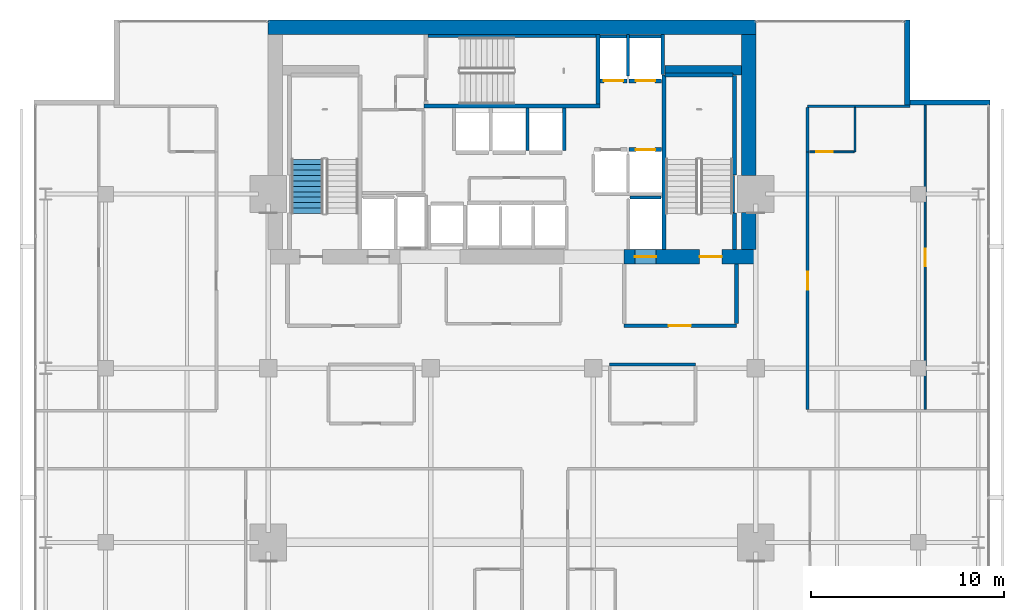
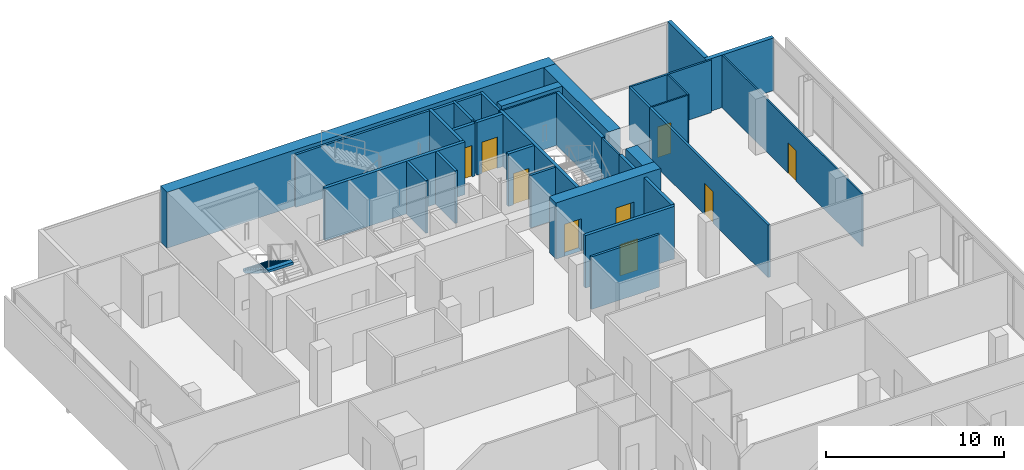
# One storey, part 30 of 33: 33 walls, 9 doors, 1 stair flight, 9 openings, 1 element without a shape of its own.
"""IFC4 building model written with IfcOpenShell, lengths in metres."""

from ifc_helpers import new_model, si_unit, direction, frame, frame_2d, origin, place, context, subcontext, project, spatial, polyline, rectangle, outline, extrude, material, layer, layer_set, type_object, element, fill, aggregate, save


model = new_model("IFC4")

# Units and contexts
model_context = context("Model", 3, precision=1e-05, world=origin(), true_north=direction((0.0, 1.0)))
body_context = subcontext(model_context, "Body", "Model", "MODEL_VIEW")
ifc_project = project(units=[si_unit("LENGTHUNIT", "METRE"), si_unit("AREAUNIT", "SQUARE_METRE"), si_unit("VOLUMEUNIT", "CUBIC_METRE"), si_unit("PLANEANGLEUNIT", "RADIAN"), si_unit("MASSUNIT", "GRAM", prefix="KILO")], contexts=[model_context])

# Site, building, storey
site_placement = place(None, origin())
site = spatial("IfcSite", under=ifc_project, at=site_placement, CompositionType="ELEMENT")
building_placement = place(site_placement, origin())
building = spatial("IfcBuilding", under=site, at=building_placement, Name="Maruvema Waterfront Hotel and Observation Tower", CompositionType="ELEMENT")
storey_placement = place(building_placement, frame((0.0, 0.0, 196.699951171875)))
storey = spatial("IfcBuildingStorey", under=building, at=storey_placement, Name="L48", CompositionType="ELEMENT", Elevation=196.699951171875)

# Wall
ifc_material_1 = material(Name="Twin-stud acoustic gypsum drywall", Category="gypsum")
ifc_layer_1 = layer(ifc_material_1, 0.14990234375, Name="Acoustic Corridor and Suite Demising Wall 150 mm")
ifc_layer_set_1 = layer_set([ifc_layer_1], Name="Twin-stud acoustic gypsum drywall")
wall_type_1 = type_object("IfcWallType", Name="Acoustic Corridor and Suite Demising Wall 150 mm", PredefinedType="PARTITIONING", material=ifc_layer_set_1)
wall_1_placement = place(storey_placement, frame((42.85009765625, 36.199951171875, 0.0), z_axis=(0.0, 0.0, 1.0), x_axis=(1.0, 0.0, 0.0)))
element("IfcWall", 1, at=wall_1_placement, inside=storey, type_object=wall_type_1, Name="L48 L48-M2 Back Wall 025", PredefinedType="PARTITIONING", context=body_context, shape_type="SweptSolid", body=[
    extrude(rectangle(XDim=4.429931640625, YDim=0.14990234375, at=frame_2d((2.21484375, 0.0))), origin(), (0.0, 0.0, 1.0), 3.610107421875),
])

# Wall, opening, door
wall_2_placement = place(storey_placement, frame((53.080078125, 33.860107421875, 0.0), z_axis=(0.0, 0.0, 1.0), x_axis=(0.0, 1.0, 0.0)))
wall_2 = element("IfcWall", 2, at=wall_2_placement, inside=storey, type_object=wall_type_1, Name="L48 Room L48-NE1 Corridor Wall 095", PredefinedType="PARTITIONING", context=body_context, shape_type="SweptSolid", body=[
    extrude(rectangle(XDim=13.327392578125, YDim=0.14990234375, at=frame_2d((6.66357421875, 0.0))), origin(), (0.0, 0.0, 1.0), 3.610107421875),
])
opening_1_placement = place(wall_2_placement, frame((6.188720703125, 0.0, 0.0)))
opening_1 = element("IfcOpeningElement", 3, at=opening_1_placement, cuts=wall_2, Name="Opening DR-095", PredefinedType="OPENING", context=body_context, shape_type="SweptSolid", body=[
    extrude(rectangle(XDim=0.949951171875, YDim=2.14990234375, at=frame_2d((0.47509765625, 1.074951171875))), frame((0.0, 0.0849609375, 0.0), z_axis=(0.0, -1.0, 0.0), x_axis=(1.0, 0.0, 0.0)), (0.0, 0.0, 1.0), 0.169921875),
])
ifc_material_2 = material(Name="Acoustic solid-core hardwood timber leaf", Category="wood")
door_type_1 = type_object("IfcDoorType", Name="Guestroom Entrance Fire Door 950x2150 mm", OperationType="NOTDEFINED", PredefinedType="DOOR", material=ifc_material_2)
door_1_placement = place(opening_1_placement, frame((0.949951171875, 0.0, 0.0), z_axis=(0.0, 0.0, 1.0), x_axis=(-1.0, 0.0, 0.0)))
door_1 = element("IfcDoor", 4, at=door_1_placement, inside=storey, type_object=door_type_1, Name="L48 Room L48-NE1 Entrance Door", OperationType="SINGLE_SWING_RIGHT", OverallHeight=2.14990234375, OverallWidth=0.949951171875, PredefinedType="DOOR", context=body_context, shape_type="SweptSolid", body=[
    extrude(rectangle(XDim=0.949951171875, YDim=2.14990234375, at=frame_2d((0.47509765625, 1.074951171875))), frame((0.0, 0.02490234375, 0.0), z_axis=(0.0, -1.0, 0.0), x_axis=(1.0, 0.0, 0.0)), (0.0, 0.0, 1.0), 0.050048828125),
])
fill(opening_1, door_1)

# Walls
wall_3_placement = place(storey_placement, frame((53.080078125, 47.1875, 0.0), z_axis=(0.0, 0.0, 1.0), x_axis=(0.0, 1.0, 0.0)))
element("IfcWall", 5, at=wall_3_placement, inside=storey, type_object=wall_type_1, Name="L48 Bath L48-NE1 Wall 096", PredefinedType="PARTITIONING", context=body_context, shape_type="SweptSolid", body=[
    extrude(rectangle(XDim=2.2900390625, YDim=0.14990234375, at=frame_2d((1.14501953125, 0.0))), origin(), (0.0, 0.0, 1.0), 3.610107421875),
])
ifc_material_3 = material(Name="Precast concrete C45/55", Category="concrete")
ifc_layer_2 = layer(ifc_material_3, 0.14990234375, Name="Core Shaft Furring Wall 150 mm")
ifc_layer_set_2 = layer_set([ifc_layer_2], Name="Precast concrete C45/55")
wall_type_2 = type_object("IfcWallType", Name="Core Shaft Furring Wall 150 mm", PredefinedType="SOLIDWALL", material=ifc_layer_set_2)
wall_4_placement = place(storey_placement, frame((33.449951171875, 53.175048828125, 0.0), z_axis=(0.0, 0.0, 1.0), x_axis=(1.0, 0.0, 0.0)))
element("IfcWall", 6, at=wall_4_placement, inside=storey, type_object=wall_type_2, Name="L48 Stairwell ST-02 North Furring Wall", PredefinedType="SOLIDWALL", context=body_context, shape_type="SweptSolid", body=[
    extrude(rectangle(XDim=8.699951171875, YDim=0.14990234375, at=frame_2d((4.35009765625, 0.0))), origin(), (0.0, 0.0, 1.0), 3.610107421875),
])
ifc_material_4 = material(Name="Precast concrete C45/55", Category="concrete")
ifc_layer_3 = layer(ifc_material_4, 0.199951171875, Name="Core Shaft and Stairwell Enclosure Wall 200 mm")
ifc_layer_set_3 = layer_set([ifc_layer_3], Name="Precast concrete C45/55")
wall_type_3 = type_object("IfcWallType", Name="Core Shaft and Stairwell Enclosure Wall 200 mm", PredefinedType="SOLIDWALL", material=ifc_layer_set_3)
wall_5_placement = place(storey_placement, frame((33.25, 49.550048828125, 0.0), z_axis=(0.0, 0.0, 1.0), x_axis=(1.0, 0.0, 0.0)))
element("IfcWall", 7, at=wall_5_placement, inside=storey, type_object=wall_type_3, Name="L48 Stairwell ST-02 Shaft Wall", PredefinedType="SOLIDWALL", context=body_context, shape_type="SweptSolid", body=[
    extrude(rectangle(XDim=9.10009765625, YDim=0.199951171875, at=frame_2d((4.550048828125, 0.0))), origin(), (0.0, 0.0, 1.0), 3.610107421875),
])
wall_6_placement = place(storey_placement, frame((42.25, 49.64990234375, 0.0), z_axis=(0.0, 0.0, 1.0), x_axis=(0.0, 1.0, 0.0)))
element("IfcWall", 8, at=wall_6_placement, inside=storey, type_object=wall_type_3, Name="L48 Stairwell ST-02 Shaft Wall", PredefinedType="SOLIDWALL", context=body_context, shape_type="SweptSolid", body=[
    extrude(rectangle(XDim=3.60009765625, YDim=0.199951171875, at=frame_2d((1.800048828125, 0.0))), origin(), (0.0, 0.0, 1.0), 3.610107421875),
])
wall_7_placement = place(storey_placement, frame((45.64990234375, 42.14990234375, 0.0), z_axis=(0.0, 0.0, 1.0), x_axis=(0.0, 1.0, 0.0)))
element("IfcWall", 9, at=wall_7_placement, inside=storey, type_object=wall_type_3, Name="L48 Stairwell ST-03 West Shaft Wall", PredefinedType="SOLIDWALL", context=body_context, shape_type="SweptSolid", body=[
    extrude(rectangle(XDim=9.0, YDim=0.199951171875, at=frame_2d((4.5, 0.0))), origin(), (0.0, 0.0, 1.0), 3.610107421875),
])
wall_8_placement = place(storey_placement, frame((49.300048828125, 42.14990234375, 0.0), z_axis=(0.0, 0.0, 1.0), x_axis=(0.0, 1.0, 0.0)))
element("IfcWall", 10, at=wall_8_placement, inside=storey, type_object=wall_type_3, Name="L48 Stairwell ST-03 Shaft Lining Wall", PredefinedType="SOLIDWALL", context=body_context, shape_type="SweptSolid", body=[
    extrude(rectangle(XDim=1.8701171875, YDim=0.199951171875, at=frame_2d((0.93505859375, 0.0))), origin(), (0.0, 0.0, 1.0), 3.610107421875),
])
wall_9_placement = place(storey_placement, frame((49.300048828125, 45.97998046875, 0.0), z_axis=(0.0, 0.0, 1.0), x_axis=(0.0, 1.0, 0.0)))
element("IfcWall", 11, at=wall_9_placement, inside=storey, type_object=wall_type_3, Name="L48 Stairwell ST-03 Shaft Lining Wall", PredefinedType="SOLIDWALL", context=body_context, shape_type="SweptSolid", body=[
    extrude(rectangle(XDim=5.14013671875, YDim=0.199951171875, at=frame_2d((2.570068359375, 0.0))), origin(), (0.0, 0.0, 1.0), 3.610107421875),
])
wall_10_placement = place(storey_placement, frame((45.719970703125, 51.14990234375, 0.0), z_axis=(0.0, 0.0, 1.0), x_axis=(1.0, 0.0, 0.0)))
element("IfcWall", 12, at=wall_10_placement, inside=storey, type_object=wall_type_3, Name="L48 Stairwell ST-03 Shaft Lining Wall", PredefinedType="SOLIDWALL", context=body_context, shape_type="SweptSolid", body=[
    extrude(rectangle(XDim=3.5, YDim=0.199951171875, at=frame_2d((1.75, 0.0))), origin(), (0.0, 0.0, 1.0), 3.610107421875),
])

# Wall, opening, door
wall_11_placement = place(storey_placement, frame((43.860107421875, 47.300048828125, 0.0), z_axis=(0.0, 0.0, 1.0), x_axis=(1.0, 0.0, 0.0)))
wall_11 = element("IfcWall", 13, at=wall_11_placement, inside=storey, type_object=wall_type_3, Name="L48 Lift LF-06 Hoistway Front Wall", PredefinedType="SOLIDWALL", context=body_context, shape_type="SweptSolid", body=[
    extrude(rectangle(XDim=1.679931640625, YDim=0.199951171875, at=frame_2d((0.83984375, 0.0))), origin(), (0.0, 0.0, 1.0), 3.610107421875),
])
opening_2_placement = place(wall_11_placement, frame((0.340087890625, 0.0, 0.0)))
opening_2 = element("IfcOpeningElement", 14, at=opening_2_placement, cuts=wall_11, Name="Opening LD-01", PredefinedType="OPENING", context=body_context, shape_type="SweptSolid", body=[
    extrude(rectangle(XDim=1.0, YDim=2.14990234375, at=frame_2d((0.5, 1.074951171875))), frame((0.0, 0.10986328125, 0.0), z_axis=(0.0, -1.0, 0.0), x_axis=(1.0, 0.0, 0.0)), (0.0, 0.0, 1.0), 0.219970703125),
])
ifc_material_5 = material(Name="Brushed stainless steel Grade 316", Category="steel")
door_type_2 = type_object("IfcDoorType", Name="Passenger Lift Sliding Landing Door 1000x2150 mm", OperationType="SLIDING_TO_LEFT", PredefinedType="DOOR", material=ifc_material_5)
door_2_placement = place(opening_2_placement, origin())
door_2 = element("IfcDoor", 15, at=door_2_placement, inside=storey, type_object=door_type_2, Name="L48 Lift LF-06 Sliding Landing Door", OperationType="SLIDING_TO_LEFT", OverallHeight=2.14990234375, OverallWidth=1.0, PredefinedType="DOOR", context=body_context, shape_type="SweptSolid", body=[
    extrude(rectangle(XDim=1.0, YDim=2.14990234375, at=frame_2d((0.5, 1.074951171875))), frame((0.0, 0.02490234375, 0.0), z_axis=(0.0, -1.0, 0.0), x_axis=(1.0, 0.0, 0.0)), (0.0, 0.0, 1.0), 0.050048828125),
])
fill(opening_2, door_2)

wall_12_placement = place(storey_placement, frame((42.360107421875, 50.85009765625, 0.0), z_axis=(0.0, 0.0, 1.0), x_axis=(1.0, 0.0, 0.0)))
wall_12 = element("IfcWall", 16, at=wall_12_placement, inside=storey, type_object=wall_type_3, Name="L48 Lift LF-07 Hoistway Front Wall", PredefinedType="SOLIDWALL", context=body_context, shape_type="SweptSolid", body=[
    extrude(rectangle(XDim=1.3798828125, YDim=0.199951171875, at=frame_2d((0.68994140625, 0.0))), origin(), (0.0, 0.0, 1.0), 3.610107421875),
])
opening_3_placement = place(wall_12_placement, frame((0.18994140625, 0.0, 0.0)))
opening_3 = element("IfcOpeningElement", 17, at=opening_3_placement, cuts=wall_12, Name="Opening LD-01", PredefinedType="OPENING", context=body_context, shape_type="SweptSolid", body=[
    extrude(rectangle(XDim=1.0, YDim=2.14990234375, at=frame_2d((0.5, 1.074951171875))), frame((0.0, 0.10986328125, 0.0), z_axis=(0.0, -1.0, 0.0), x_axis=(1.0, 0.0, 0.0)), (0.0, 0.0, 1.0), 0.219970703125),
])
door_3_placement = place(opening_3_placement, frame((1.0, 0.0, 0.0), z_axis=(0.0, 0.0, 1.0), x_axis=(-1.0, 0.0, 0.0)))
door_3 = element("IfcDoor", 18, at=door_3_placement, inside=storey, type_object=door_type_2, Name="L48 Lift LF-07 Sliding Landing Door", OperationType="SLIDING_TO_LEFT", OverallHeight=2.14990234375, OverallWidth=1.0, PredefinedType="DOOR", context=body_context, shape_type="SweptSolid", body=[
    extrude(rectangle(XDim=1.0, YDim=2.14990234375, at=frame_2d((0.5, 1.074951171875))), frame((0.0, 0.02490234375, 0.0), z_axis=(0.0, -1.0, 0.0), x_axis=(1.0, 0.0, 0.0)), (0.0, 0.0, 1.0), 0.050048828125),
])
fill(opening_3, door_3)

wall_13_placement = place(storey_placement, frame((43.860107421875, 50.85009765625, 0.0), z_axis=(0.0, 0.0, 1.0), x_axis=(1.0, 0.0, 0.0)))
wall_13 = element("IfcWall", 19, at=wall_13_placement, inside=storey, type_object=wall_type_3, Name="L48 Lift LF-08 Hoistway Front Wall", PredefinedType="SOLIDWALL", context=body_context, shape_type="SweptSolid", body=[
    extrude(rectangle(XDim=1.679931640625, YDim=0.199951171875, at=frame_2d((0.83984375, 0.0))), origin(), (0.0, 0.0, 1.0), 3.610107421875),
])
opening_4_placement = place(wall_13_placement, frame((0.340087890625, 0.0, 0.0)))
opening_4 = element("IfcOpeningElement", 20, at=opening_4_placement, cuts=wall_13, Name="Opening LD-01", PredefinedType="OPENING", context=body_context, shape_type="SweptSolid", body=[
    extrude(rectangle(XDim=1.0, YDim=2.14990234375, at=frame_2d((0.5, 1.074951171875))), frame((0.0, 0.10986328125, 0.0), z_axis=(0.0, -1.0, 0.0), x_axis=(1.0, 0.0, 0.0)), (0.0, 0.0, 1.0), 0.219970703125),
])
door_4_placement = place(opening_4_placement, frame((1.0, 0.0, 0.0), z_axis=(0.0, 0.0, 1.0), x_axis=(-1.0, 0.0, 0.0)))
door_4 = element("IfcDoor", 21, at=door_4_placement, inside=storey, type_object=door_type_2, Name="L48 Lift LF-08 Sliding Landing Door", OperationType="SLIDING_TO_LEFT", OverallHeight=2.14990234375, OverallWidth=1.0, PredefinedType="DOOR", context=body_context, shape_type="SweptSolid", body=[
    extrude(rectangle(XDim=1.0, YDim=2.14990234375, at=frame_2d((0.5, 1.074951171875))), frame((0.0, 0.02490234375, 0.0), z_axis=(0.0, -1.0, 0.0), x_axis=(1.0, 0.0, 0.0)), (0.0, 0.0, 1.0), 0.050048828125),
])
fill(opening_4, door_4)

# Walls
ifc_material_6 = material(Name="Concrete C70/85", Category="concrete")
ifc_layer_4 = layer(ifc_material_6, 0.5, Name="Core Shear Wall 500 mm")
ifc_layer_set_4 = layer_set([ifc_layer_4], Name="Concrete C70/85")
wall_type_4 = type_object("IfcWallType", Name="Core Shear Wall 500 mm", PredefinedType="SHEAR", material=ifc_layer_set_4)
wall_14_placement = place(storey_placement, frame((45.699951171875, 51.39990234375, 0.0), z_axis=(0.0, 0.0, 1.0), x_axis=(1.0, 0.0, 0.0)))
element("IfcWall", 22, at=wall_14_placement, inside=storey, type_object=wall_type_4, Name="L48 Internal Core Shear Wall NE 500 mm", PredefinedType="SHEAR", context=body_context, shape_type="SweptSolid", body=[
    extrude(rectangle(XDim=3.949951171875, YDim=0.5, at=frame_2d((1.97509765625, 0.0))), origin(), (0.0, 0.0, 1.0), 3.85009765625),
])
ifc_material_7 = material(Name="Concrete C70/85", Category="concrete")
ifc_layer_5 = layer(ifc_material_7, 0.75, Name="Core Shear Wall 750 mm")
ifc_layer_set_5 = layer_set([ifc_layer_5], Name="Concrete C70/85")
wall_type_5 = type_object("IfcWallType", Name="Core Shear Wall 750 mm", PredefinedType="SHEAR", material=ifc_layer_set_5)
wall_15_placement = place(storey_placement, frame((25.199951171875, 53.625, 0.0), z_axis=(0.0, 0.0, 1.0), x_axis=(1.0, 0.0, 0.0)))
element("IfcWall", 23, at=wall_15_placement, inside=storey, type_object=wall_type_5, Name="L48 North Core Shear Wall", PredefinedType="SHEAR", context=body_context, shape_type="SweptSolid", body=[
    extrude(rectangle(XDim=25.199951171875, YDim=0.75, at=frame_2d((12.60009765625, 0.0))), origin(), (0.0, 0.0, 1.0), 3.85009765625),
])

# Wall, openings, doors
wall_16_placement = place(storey_placement, frame((43.60009765625, 41.77490234375, 0.0), z_axis=(0.0, 0.0, 1.0), x_axis=(1.0, 0.0, 0.0)))
wall_16 = element("IfcWall", 24, at=wall_16_placement, inside=storey, type_object=wall_type_5, Name="L48 South-East Core Shear Wall", PredefinedType="SHEAR", context=body_context, shape_type="SweptSolid", body=[
    extrude(rectangle(XDim=6.7998046875, YDim=0.75, at=frame_2d((3.39990234375, 0.0))), origin(), (0.0, 0.0, 1.0), 3.85009765625),
])
opening_5_placement = place(wall_16_placement, frame((3.89990234375, 0.0, 0.0)))
opening_5 = element("IfcOpeningElement", 25, at=opening_5_placement, cuts=wall_16, Name="Opening SD-01", PredefinedType="OPENING", context=body_context, shape_type="SweptSolid", body=[
    extrude(rectangle(XDim=1.14990234375, YDim=2.14990234375, at=frame_2d((0.574951171875, 1.074951171875))), frame((0.0, 0.385009765625, 0.0), z_axis=(0.0, -1.0, 0.0), x_axis=(1.0, 0.0, 0.0)), (0.0, 0.0, 1.0), 0.77001953125),
])
opening_6_placement = place(wall_16_placement, frame((0.550048828125, 0.0, 0.0)))
opening_6 = element("IfcOpeningElement", 26, at=opening_6_placement, cuts=wall_16, Name="Opening LD-03", PredefinedType="OPENING", context=body_context, shape_type="SweptSolid", body=[
    extrude(rectangle(XDim=1.10009765625, YDim=2.199951171875, at=frame_2d((0.550048828125, 1.10009765625))), frame((0.0, 0.385009765625, 0.0), z_axis=(0.0, -1.0, 0.0), x_axis=(1.0, 0.0, 0.0)), (0.0, 0.0, 1.0), 0.77001953125),
])
ifc_material_8 = material(Name="Fire-rated galvanised steel leaf", Category="steel")
door_type_3 = type_object("IfcDoorType", Name="Exit Stair Fire Door 1150x2150 mm", OperationType="NOTDEFINED", PredefinedType="DOOR", material=ifc_material_8)
door_5_placement = place(opening_5_placement, origin())
door_5 = element("IfcDoor", 27, at=door_5_placement, inside=storey, type_object=door_type_3, Name="L48 Exit Stair ST-03 Fire Door", OperationType="SINGLE_SWING_RIGHT", OverallHeight=2.14990234375, OverallWidth=1.14990234375, PredefinedType="DOOR", context=body_context, shape_type="SweptSolid", body=[
    extrude(rectangle(XDim=1.14990234375, YDim=2.14990234375, at=frame_2d((0.574951171875, 1.074951171875))), frame((0.0, 0.02490234375, 0.0), z_axis=(0.0, -1.0, 0.0), x_axis=(1.0, 0.0, 0.0)), (0.0, 0.0, 1.0), 0.050048828125),
])
fill(opening_5, door_5)
ifc_material_9 = material(Name="Brushed stainless steel Grade 316", Category="steel")
door_type_4 = type_object("IfcDoorType", Name="Firefighting Lift Sliding Landing Door 1100x2200 mm", OperationType="SLIDING_TO_LEFT", PredefinedType="DOOR", material=ifc_material_9)
door_6_placement = place(opening_6_placement, frame((1.10009765625, 0.0, 0.0), z_axis=(0.0, 0.0, 1.0), x_axis=(-1.0, 0.0, 0.0)))
door_6 = element("IfcDoor", 28, at=door_6_placement, inside=storey, type_object=door_type_4, Name="L48 Firefighting Lift FL-02 Landing Door", OperationType="SLIDING_TO_LEFT", OverallHeight=2.199951171875, OverallWidth=1.10009765625, PredefinedType="DOOR", context=body_context, shape_type="SweptSolid", body=[
    extrude(rectangle(XDim=1.10009765625, YDim=2.199951171875, at=frame_2d((0.550048828125, 1.10009765625))), frame((0.0, 0.02490234375, 0.0), z_axis=(0.0, -1.0, 0.0), x_axis=(1.0, 0.0, 0.0)), (0.0, 0.0, 1.0), 0.050048828125),
])
fill(opening_6, door_6)

# Walls
wall_17_placement = place(storey_placement, frame((50.02490234375, 42.14990234375, 0.0), z_axis=(0.0, 0.0, 1.0), x_axis=(0.0, 1.0, 0.0)))
element("IfcWall", 29, at=wall_17_placement, inside=storey, type_object=wall_type_5, Name="L48 East-South Core Shear Wall", PredefinedType="SHEAR", context=body_context, shape_type="SweptSolid", body=[
    extrude(rectangle(XDim=1.900146484375, YDim=0.75, at=frame_2d((0.9501953125, 0.0))), origin(), (0.0, 0.0, 1.0), 3.85009765625),
])
wall_18_placement = place(storey_placement, frame((50.02490234375, 45.949951171875, 0.0), z_axis=(0.0, 0.0, 1.0), x_axis=(0.0, 1.0, 0.0)))
element("IfcWall", 30, at=wall_18_placement, inside=storey, type_object=wall_type_5, Name="L48 East-North Core Shear Wall", PredefinedType="SHEAR", context=body_context, shape_type="SweptSolid", body=[
    extrude(rectangle(XDim=7.300048828125, YDim=0.75, at=frame_2d((3.64990234375, 0.0))), origin(), (0.0, 0.0, 1.0), 3.85009765625),
])
ifc_material_10 = material(Name="Moisture-resistant cement-board drywall", Category="gypsum")
ifc_layer_6 = layer(ifc_material_10, 0.10009765625, Name="En-Suite Moisture-Resistant Partition 100 mm")
ifc_layer_set_6 = layer_set([ifc_layer_6], Name="Moisture-resistant cement-board drywall")
wall_type_6 = type_object("IfcWallType", Name="En-Suite Moisture-Resistant Partition 100 mm", PredefinedType="PARTITIONING", material=ifc_layer_set_6)
wall_19_placement = place(storey_placement, frame((55.530029296875, 47.1875, 0.0), z_axis=(0.0, 0.0, 1.0), x_axis=(0.0, 1.0, 0.0)))
element("IfcWall", 31, at=wall_19_placement, inside=storey, type_object=wall_type_6, Name="L48 En-Suite L48-NE1 E 097", PredefinedType="PARTITIONING", context=body_context, shape_type="SweptSolid", body=[
    extrude(rectangle(XDim=2.2900390625, YDim=0.10009765625, at=frame_2d((1.14501953125, 0.0))), origin(), (0.0, 0.0, 1.0), 3.610107421875),
])

# Wall, opening, door
wall_20_placement = place(storey_placement, frame((53.179931640625, 47.1875, 0.0), z_axis=(0.0, 0.0, 1.0), x_axis=(1.0, 0.0, 0.0)))
wall_20 = element("IfcWall", 32, at=wall_20_placement, inside=storey, type_object=wall_type_6, Name="L48 En-Suite L48-NE1 S 098", PredefinedType="PARTITIONING", context=body_context, shape_type="SweptSolid", body=[
    extrude(rectangle(XDim=2.300048828125, YDim=0.10009765625, at=frame_2d((1.14990234375, 0.0))), origin(), (0.0, 0.0, 1.0), 3.610107421875),
])
opening_7_placement = place(wall_20_placement, frame((0.35009765625, 0.0, 0.0)))
opening_7 = element("IfcOpeningElement", 33, at=opening_7_placement, cuts=wall_20, Name="Opening DR-085", PredefinedType="OPENING", context=body_context, shape_type="SweptSolid", body=[
    extrude(rectangle(XDim=0.85009765625, YDim=2.10009765625, at=frame_2d((0.425048828125, 1.050048828125))), frame((0.0, 0.06005859375, 0.0), z_axis=(0.0, -1.0, 0.0), x_axis=(1.0, 0.0, 0.0)), (0.0, 0.0, 1.0), 0.1201171875),
])
ifc_material_11 = material(Name="Moisture-resistant solid timber leaf", Category="wood")
door_type_5 = type_object("IfcDoorType", Name="En-Suite Bathroom Door 850x2100 mm", OperationType="NOTDEFINED", PredefinedType="DOOR", material=ifc_material_11)
door_7_placement = place(opening_7_placement, frame((0.85009765625, 0.0, 0.0), z_axis=(0.0, 0.0, 1.0), x_axis=(-1.0, 0.0, 0.0)))
door_7 = element("IfcDoor", 34, at=door_7_placement, inside=storey, type_object=door_type_5, Name="L48 En-Suite L48-NE1 Door", OperationType="SINGLE_SWING_LEFT", OverallHeight=2.10009765625, OverallWidth=0.85009765625, PredefinedType="DOOR", context=body_context, shape_type="SweptSolid", body=[
    extrude(rectangle(XDim=0.85009765625, YDim=2.10009765625, at=frame_2d((0.425048828125, 1.050048828125))), frame((0.0, 0.02490234375, 0.0), z_axis=(0.0, -1.0, 0.0), x_axis=(1.0, 0.0, 0.0)), (0.0, 0.0, 1.0), 0.050048828125),
])
fill(opening_7, door_7)

wall_21_placement = place(storey_placement, frame((59.154296875, 33.860107421875, 0.0), z_axis=(0.0, 0.0, 1.0), x_axis=(0.0, 1.0, 0.0)))
wall_21 = element("IfcWall", 35, at=wall_21_placement, inside=storey, type_object=wall_type_6, Name="L48 Suite L48-NE1 Split 099", PredefinedType="PARTITIONING", context=body_context, shape_type="SweptSolid", body=[
    extrude(rectangle(XDim=15.7373046875, YDim=0.10009765625, at=frame_2d((7.86865234375, 0.0))), origin(), (0.0, 0.0, 1.0), 3.610107421875),
])
opening_8_placement = place(wall_21_placement, frame((7.418701171875, 0.0, 0.0)))
opening_8 = element("IfcOpeningElement", 36, at=opening_8_placement, cuts=wall_21, Name="Opening DR-090", PredefinedType="OPENING", context=body_context, shape_type="SweptSolid", body=[
    extrude(rectangle(XDim=0.89990234375, YDim=2.10009765625, at=frame_2d((0.449951171875, 1.050048828125))), frame((0.0, 0.06005859375, 0.0), z_axis=(0.0, -1.0, 0.0), x_axis=(1.0, 0.0, 0.0)), (0.0, 0.0, 1.0), 0.1201171875),
])
ifc_material_12 = material(Name="Solid-core lacquered timber leaf", Category="wood")
door_type_6 = type_object("IfcDoorType", Name="Accessible Toilet and Room Door 900x2100 mm", OperationType="NOTDEFINED", PredefinedType="DOOR", material=ifc_material_12)
door_8_placement = place(opening_8_placement, frame((0.89990234375, 0.0, 0.0), z_axis=(0.0, 0.0, 1.0), x_axis=(-1.0, 0.0, 0.0)))
door_8 = element("IfcDoor", 37, at=door_8_placement, inside=storey, type_object=door_type_6, Name="L48 Suite L48-NE1 Bedroom Door", OperationType="SINGLE_SWING_LEFT", OverallHeight=2.10009765625, OverallWidth=0.89990234375, PredefinedType="DOOR", context=body_context, shape_type="SweptSolid", body=[
    extrude(rectangle(XDim=0.89990234375, YDim=2.10009765625, at=frame_2d((0.449951171875, 1.050048828125))), frame((0.0, 0.02490234375, 0.0), z_axis=(0.0, -1.0, 0.0), x_axis=(1.0, 0.0, 0.0)), (0.0, 0.0, 1.0), 0.050048828125),
])
fill(opening_8, door_8)

# Walls
ifc_material_13 = material(Name="Precast concrete C45/55 with honed Pernambuco granite facing", Category="masonry")
ifc_layer_7 = layer(ifc_material_13, 0.260009765625, Name="Exterior Granite Clad Spandrel and Pier Wall 260 mm")
ifc_layer_set_7 = layer_set([ifc_layer_7], Name="Precast concrete C45/55 with honed Pernambuco granite facing")
wall_type_7 = type_object("IfcWallType", Name="Exterior Granite Clad Spandrel and Pier Wall 260 mm", PredefinedType="SOLIDWALL", material=ifc_layer_set_7)
for number, where, z_axis, x_axis, name in (
    (38, (58.22998046875, 54.0, 0.0), (0.0, 0.0, 1.0), (0.0, -1.0, 0.0), "L48 Corner Notch Granite Pier Wall NE1"),
    (39, (58.10009765625, 49.72998046875, 0.0), (0.0, 0.0, 1.0), (1.0, 0.0, 0.0), "L48 Corner Notch Granite Pier Wall NE2"),
):
    element("IfcWall", number, at=place(storey_placement, frame(where, z_axis=z_axis, x_axis=x_axis)), inside=storey, type_object=wall_type_7, Name=name, PredefinedType="SOLIDWALL", context=body_context, shape_type="SweptSolid", body=[
        extrude(rectangle(XDim=4.39990234375, YDim=0.260009765625, at=frame_2d((2.199951171875, 0.0))), origin(), (0.0, 0.0, 1.0), 3.610107421875),
    ])

# Wall, opening, door
ifc_material_14 = material(Name="Autoclaved cellular concrete blockwork", Category="masonry")
ifc_layer_8 = layer(ifc_material_14, 0.199951171875, Name="Fire Compartment Masonry Wall 200 mm")
ifc_layer_set_8 = layer_set([ifc_layer_8], Name="Autoclaved cellular concrete blockwork")
wall_type_8 = type_object("IfcWallType", Name="Fire Compartment Masonry Wall 200 mm", PredefinedType="PARTITIONING", material=ifc_layer_set_8)
wall_22_placement = place(storey_placement, frame((43.60009765625, 38.199951171875, 0.0), z_axis=(0.0, 0.0, 1.0), x_axis=(1.0, 0.0, 0.0)))
wall_22 = element("IfcWall", 40, at=wall_22_placement, inside=storey, type_object=wall_type_8, Name="L48 FFL East South Wall 004", PredefinedType="PARTITIONING", context=body_context, shape_type="SweptSolid", body=[
    extrude(rectangle(XDim=5.7998046875, YDim=0.199951171875, at=frame_2d((2.89990234375, 0.0))), origin(), (0.0, 0.0, 1.0), 3.610107421875),
])
opening_9_placement = place(wall_22_placement, frame((2.300048828125, 0.0, 0.0)))
opening_9 = element("IfcOpeningElement", 41, at=opening_9_placement, cuts=wall_22, Name="Opening FD-115", PredefinedType="OPENING", context=body_context, shape_type="SweptSolid", body=[
    extrude(rectangle(XDim=1.14990234375, YDim=2.14990234375, at=frame_2d((0.574951171875, 1.074951171875))), frame((0.0, 0.10986328125, 0.0), z_axis=(0.0, -1.0, 0.0), x_axis=(1.0, 0.0, 0.0)), (0.0, 0.0, 1.0), 0.219970703125),
])
ifc_material_15 = material(Name="Fire-rated galvanised steel and vision glass", Category="steel")
door_type_7 = type_object("IfcDoorType", Name="Firefighting Lobby Fire Door 1150x2150 mm", OperationType="NOTDEFINED", PredefinedType="DOOR", material=ifc_material_15)
door_9_placement = place(opening_9_placement, frame((1.14990234375, 0.0, 0.0), z_axis=(0.0, 0.0, 1.0), x_axis=(-1.0, 0.0, 0.0)))
door_9 = element("IfcDoor", 42, at=door_9_placement, inside=storey, type_object=door_type_7, Name="L48 Firefighting Lobby East Door", OperationType="SINGLE_SWING_RIGHT", OverallHeight=2.14990234375, OverallWidth=1.14990234375, PredefinedType="DOOR", context=body_context, shape_type="SweptSolid", body=[
    extrude(rectangle(XDim=1.14990234375, YDim=2.14990234375, at=frame_2d((0.574951171875, 1.074951171875))), frame((0.0, 0.02490234375, 0.0), z_axis=(0.0, -1.0, 0.0), x_axis=(1.0, 0.0, 0.0)), (0.0, 0.0, 1.0), 0.050048828125),
])
fill(opening_9, door_9)

# Walls
wall_23_placement = place(storey_placement, frame((49.39990234375, 38.31005859375, 0.0), z_axis=(0.0, 0.0, 1.0), x_axis=(0.0, 1.0, 0.0)))
element("IfcWall", 43, at=wall_23_placement, inside=storey, type_object=wall_type_8, Name="L48 FFL East East Wall 006", PredefinedType="PARTITIONING", context=body_context, shape_type="SweptSolid", body=[
    extrude(rectangle(XDim=3.06982421875, YDim=0.199951171875, at=frame_2d((1.534912109375, 0.0))), origin(), (0.0, 0.0, 1.0), 3.610107421875),
])
ifc_material_16 = material(Name="Acoustic gypsum plasterboard drywall", Category="gypsum")
ifc_layer_9 = layer(ifc_material_16, 0.125, Name="Guestroom Acoustic Demising Wall 125 mm")
ifc_layer_set_9 = layer_set([ifc_layer_9], Name="Acoustic gypsum plasterboard drywall")
wall_type_9 = type_object("IfcWallType", Name="Guestroom Acoustic Demising Wall 125 mm", PredefinedType="PARTITIONING", material=ifc_layer_set_9)
wall_24_placement = place(storey_placement, frame((53.080078125, 49.53759765625, 0.0), z_axis=(0.0, 0.0, 1.0), x_axis=(1.0, 0.0, 0.0)))
element("IfcWall", 44, at=wall_24_placement, inside=storey, type_object=wall_type_9, Name="L48 Z2 NE Top End 089", PredefinedType="PARTITIONING", context=body_context, shape_type="SweptSolid", body=[
    extrude(rectangle(XDim=5.280029296875, YDim=0.125, at=frame_2d((2.64013671875, 0.0))), origin(), (0.0, 0.0, 1.0), 3.610107421875),
])
ifc_material_17 = material(Name="Precast concrete C45/55", Category="concrete")
ifc_layer_10 = layer(ifc_material_17, 0.159912109375, Name="Lift Hoistway Divider Wall 160 mm")
ifc_layer_set_10 = layer_set([ifc_layer_10], Name="Precast concrete C45/55")
wall_type_10 = type_object("IfcWallType", Name="Lift Hoistway Divider Wall 160 mm", PredefinedType="SOLIDWALL", material=ifc_layer_set_10)
wall_25_placement = place(storey_placement, frame((43.89990234375, 44.830078125, 0.0), z_axis=(0.0, 0.0, 1.0), x_axis=(1.0, 0.0, 0.0)))
element("IfcWall", 45, at=wall_25_placement, inside=storey, type_object=wall_type_10, Name="L48 Lift FL-02 Rear Hoistway Wall", PredefinedType="SOLIDWALL", context=body_context, shape_type="SweptSolid", body=[
    extrude(rectangle(XDim=1.60009765625, YDim=0.159912109375, at=frame_2d((0.800048828125, 0.0))), origin(), (0.0, 0.0, 1.0), 3.610107421875),
])
wall_26_placement = place(storey_placement, frame((45.590087890625, 51.179931640625, 0.0), z_axis=(0.0, 0.0, 1.0), x_axis=(0.0, 1.0, 0.0)))
element("IfcWall", 46, at=wall_26_placement, inside=storey, type_object=wall_type_10, Name="L48 Hoistway Divider Wall", PredefinedType="SOLIDWALL", context=body_context, shape_type="SweptSolid", body=[
    extrude(rectangle(XDim=2.070068359375, YDim=0.159912109375, at=frame_2d((1.03515625, 0.0))), origin(), (0.0, 0.0, 1.0), 3.610107421875),
])
wall_27_placement = place(storey_placement, frame((43.800048828125, 51.10009765625, 0.0), z_axis=(0.0, 0.0, 1.0), x_axis=(0.0, 1.0, 0.0)))
element("IfcWall", 47, at=wall_27_placement, inside=storey, type_object=wall_type_10, Name="L48 Hoistway Divider Wall", PredefinedType="SOLIDWALL", context=body_context, shape_type="SweptSolid", body=[
    extrude(rectangle(XDim=2.14990234375, YDim=0.159912109375, at=frame_2d((1.074951171875, 0.0))), origin(), (0.0, 0.0, 1.0), 3.610107421875),
])
wall_28_placement = place(storey_placement, frame((42.360107421875, 53.139892578125, 0.0), z_axis=(0.0, 0.0, 1.0), x_axis=(1.0, 0.0, 0.0)))
element("IfcWall", 48, at=wall_28_placement, inside=storey, type_object=wall_type_10, Name="L48 Hoistway Divider Wall", PredefinedType="SOLIDWALL", context=body_context, shape_type="SweptSolid", body=[
    extrude(rectangle(XDim=3.139892578125, YDim=0.159912109375, at=frame_2d((1.56982421875, 0.0))), origin(), (0.0, 0.0, 1.0), 3.610107421875),
])
for number, where, z_axis, x_axis, name in (
    (49, (38.60009765625, 47.25, 0.0), (0.0, 0.0, 1.0), (0.0, 1.0, 0.0), "L48 Hoistway Divider Wall"),
    (50, (40.5, 47.25, 0.0), (0.0, 0.0, 1.0), (0.0, 1.0, 0.0), "L48 Hoistway Divider Wall"),
):
    element("IfcWall", number, at=place(storey_placement, frame(where, z_axis=z_axis, x_axis=x_axis)), inside=storey, type_object=wall_type_10, Name=name, PredefinedType="SOLIDWALL", context=body_context, shape_type="SweptSolid", body=[
        extrude(rectangle(XDim=2.18994140625, YDim=0.159912109375, at=frame_2d((1.094970703125, 0.0))), origin(), (0.0, 0.0, 1.0), 3.610107421875),
    ])
ifc_material_18 = material(Name="Precast concrete C45/55", Category="concrete")
ifc_layer_11 = layer(ifc_material_18, 0.10009765625, Name="Stairwell Stringer Cheek Wall 100 mm")
ifc_layer_set_11 = layer_set([ifc_layer_11], Name="Precast concrete C45/55")
wall_type_11 = type_object("IfcWallType", Name="Stairwell Stringer Cheek Wall 100 mm", PredefinedType="SOLIDWALL", material=ifc_layer_set_11)
wall_29_placement = place(storey_placement, frame((49.248046875, 44.0400390625, 0.0), z_axis=(0.0, 0.0, 1.0), x_axis=(0.0, 1.0, 0.0)))
element("IfcWall", 51, at=wall_29_placement, inside=storey, type_object=wall_type_11, Name="L48 Stairwell ST-03 Mega-Column Cheek Wall", PredefinedType="SOLIDWALL", context=body_context, shape_type="SweptSolid", body=[
    extrude(rectangle(XDim=1.919921875, YDim=0.10009765625, at=frame_2d((0.9599609375, 0.0))), origin(), (0.0, 0.0, 1.0), 3.610107421875),
])

# Stair, stair flight
ifc_material_19 = material(Name="Concrete C50/60", Category="concrete")
stair_type = type_object("IfcStairType", Name="Dogleg Exit Stair 1650 mm (22R x 175.0 mm)", PredefinedType="HALF_TURN_STAIR", material=ifc_material_19)
stair_placement = place(storey_placement, origin())
stair = element("IfcStair", 52, at=stair_placement, inside=storey, type_object=stair_type, Name="L48 ST-01", PredefinedType="HALF_TURN_STAIR")
ifc_material_20 = material(Name="Concrete C50/60", Category="concrete")
stair_flight_type = type_object("IfcStairFlightType", Name="Reinforced Concrete Stair Flight 1650 mm (11R x 175.0 mm)", PredefinedType="STRAIGHT", material=ifc_material_20)
stair_flight_placement = place(storey_placement, frame((27.22509765625, 46.800048828125, 1.925048828125), z_axis=(0.0, 0.0, 1.0), x_axis=(0.0, -1.0, 0.0)))
stair_flight = element("IfcStairFlight", 53, at=stair_flight_placement, type_object=stair_flight_type, Name="ST-01 flight 2", NumberOfRisers=11, NumberOfTreads=10, PredefinedType="STRAIGHT", RiserHeight=0.175, TreadLength=0.28, context=body_context, shape_type="SweptSolid", body=[
    extrude(outline(polyline([(0.0, 0.0), (0.0, 0.175048828125), (0.280029296875, 0.175048828125), (0.280029296875, 0.35009765625), (0.56005859375, 0.35009765625), (0.56005859375, 0.52490234375), (0.840087890625, 0.52490234375), (0.840087890625, 0.699951171875), (1.1201171875, 0.699951171875), (1.1201171875, 0.875), (1.39990234375, 0.875), (1.39990234375, 1.050048828125), (1.679931640625, 1.050048828125), (1.679931640625, 1.22509765625), (1.9599609375, 1.22509765625), (1.9599609375, 1.39990234375), (2.239990234375, 1.39990234375), (2.239990234375, 1.574951171875), (2.52001953125, 1.574951171875), (2.52001953125, 1.75), (2.800048828125, 1.75), (2.800048828125, 1.925048828125), (2.800048828125, 1.5732421875), (0.28271484375, 0.0), (0.0, 0.0)])), frame((0.0, 0.824951171875, 0.0), z_axis=(0.0, -1.0, 0.0), x_axis=(1.0, 0.0, 0.0)), (0.0, 0.0, 1.0), 1.64990234375),
])
aggregate(stair, [stair_flight])

save(model, "model.ifc")
